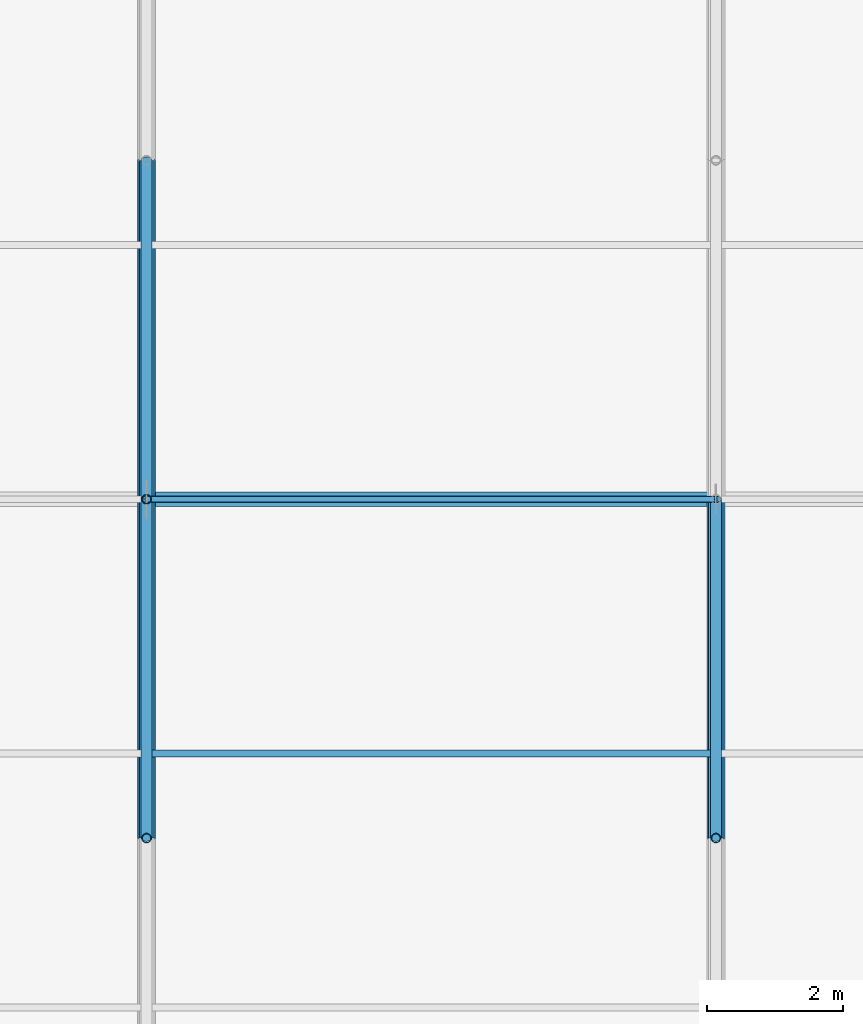
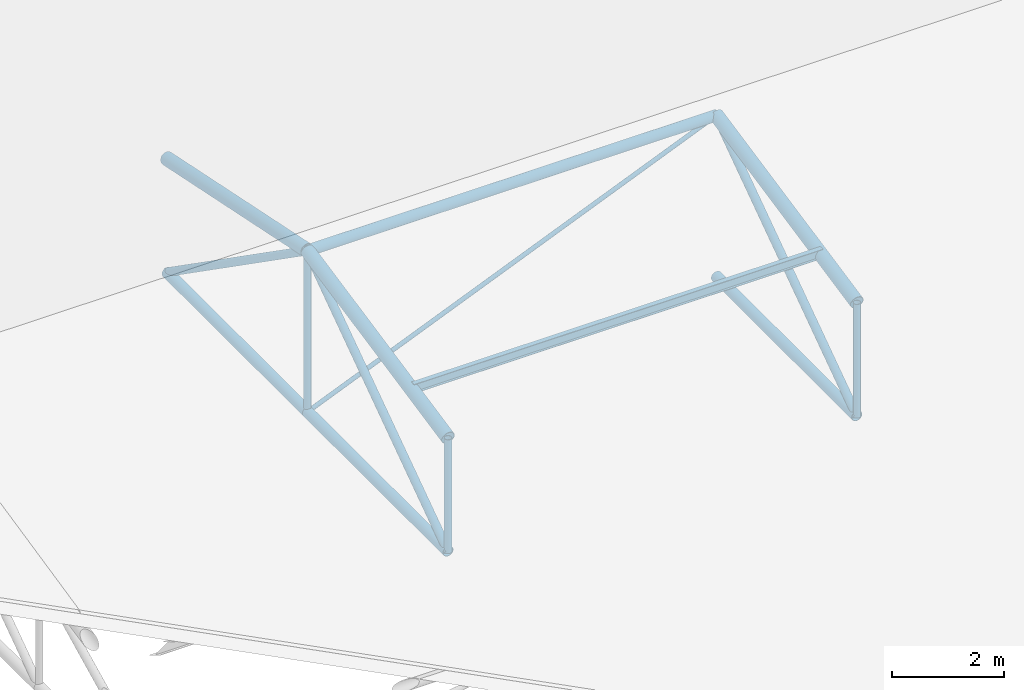
# One storey, part 73 of 194: 14 members, 1 beam.
"""IFC4 building model written with IfcOpenShell, lengths in metres."""

from ifc_helpers import new_model, si_unit, direction, frame, origin, origin_2d, place, context, subcontext, project, spatial, hollow_circle, i_section, extrude, material, material_profile, profile_set, type_object, element, save


model = new_model("IFC4")

# Units and contexts
model_context = context("Model", 3, precision=1e-05, world=origin(), true_north=direction((0.0, 1.0)))
body_context = subcontext(model_context, "Body", "Model", "MODEL_VIEW")
ifc_project = project(units=[si_unit("LENGTHUNIT", "METRE"), si_unit("AREAUNIT", "SQUARE_METRE"), si_unit("VOLUMEUNIT", "CUBIC_METRE"), si_unit("PLANEANGLEUNIT", "RADIAN"), si_unit("MASSUNIT", "GRAM", prefix="KILO")], contexts=[model_context])

# Site, building, storey
site_placement = place(None, origin())
site = spatial("IfcSite", under=ifc_project, at=site_placement, CompositionType="ELEMENT")
building_placement = place(site_placement, origin())
building = spatial("IfcBuilding", under=site, at=building_placement, Name="Kazenagashi Tramway Depot", CompositionType="ELEMENT")
storey_placement = place(building_placement, frame((0.0, 0.0, 23.7)))
storey = spatial("IfcBuildingStorey", under=building, at=storey_placement, Name="ROOF", CompositionType="ELEMENT", Elevation=23.7)

# Beam
ifc_material_1 = material(Name="Steel SN400B", Category="steel")
ifc_material_profile_1 = material_profile(ifc_material_1, i_section(OverallWidth=0.1, OverallDepth=0.2, WebThickness=0.0055, FlangeThickness=0.008, at=origin_2d()), Name="H-200x100x5.5x8")
ifc_profile_set_1 = profile_set([ifc_material_profile_1], Name="Steel SN400B")
beam_type = type_object("IfcBeamType", Name="PR-01", PredefinedType="USERDEFINED", material=ifc_profile_set_1)
beam_placement = place(storey_placement, frame((128.8, 81.25, -11.305), z_axis=(1.0, 0.0, 0.0), x_axis=(0.0, 1.0, 0.0)))
element("IfcBeam", 1, at=beam_placement, inside=storey, type_object=beam_type, Name="Beam PR-01 BM-2064", ObjectType="PURLIN", PredefinedType="USERDEFINED", context=body_context, shape_type="SweptSolid", body=[
    extrude(i_section(OverallWidth=0.1, OverallDepth=0.2, WebThickness=0.0055, FlangeThickness=0.008, at=origin_2d()), origin(), (0.0, 0.0, 1.0), 8.4),
])

# Members
ifc_material_2 = material(Name="Steel STK490", Category="steel")
ifc_material_profile_2 = material_profile(ifc_material_2, hollow_circle(Radius=0.1337, WallThickness=0.0093, at=origin_2d()), Name="CHS-267.4x9.3")
ifc_profile_set_2 = profile_set([ifc_material_profile_2], Name="Steel STK490")
member_type_1 = type_object("IfcMemberType", Name="TC-01", PredefinedType="CHORD", material=ifc_profile_set_2)
for number, where, z_axis, x_axis, name in (
    (2, (128.8, 80.0, -11.633), (0.0, 0.979317999984, 0.202327098797), (-1.0, 0.0, 0.0), "Tubular Space Frame TC-01 MEM-0617"),
    (3, (128.8, 85.0, -10.6), (0.0, 0.979317999984, -0.202327098797), (-1.0, 0.0, 0.0), "Tubular Space Frame TC-01 MEM-0620"),
    (4, (137.2, 80.0, -11.633), (0.0, 0.979317999984, 0.202327098797), (-1.0, 0.0, 0.0), "Tubular Space Frame TC-01 MEM-0678"),
):
    element("IfcMember", number, at=place(storey_placement, frame(where, z_axis=z_axis, x_axis=x_axis)), inside=storey, type_object=member_type_1, Name=name, PredefinedType="CHORD", context=body_context, shape_type="SweptSolid", body=[
        extrude(hollow_circle(Radius=0.1337, WallThickness=0.0093, at=origin_2d()), origin(), (0.0, 0.0, 1.0), 5.105594),
    ])
ifc_material_profile_3 = material_profile(ifc_material_2, hollow_circle(Radius=0.10815, WallThickness=0.0082, at=origin_2d()), Name="CHS-216.3x8.2")
ifc_profile_set_3 = profile_set([ifc_material_profile_3], Name="Steel STK490")
member_type_2 = type_object("IfcMemberType", Name="TC-02", PredefinedType="CHORD", material=ifc_profile_set_3)
for number, where, z_axis, x_axis, name in (
    (5, (128.8, 80.0, -14.1), (0.0, 1.0, 0.0), (-1.0, 0.0, 0.0), "Tubular Space Frame TC-02 MEM-0618"),
    (6, (128.8, 85.0, -14.1), (0.0, 1.0, 0.0), (-1.0, 0.0, 0.0), "Tubular Space Frame TC-02 MEM-0621"),
):
    element("IfcMember", number, at=place(storey_placement, frame(where, z_axis=z_axis, x_axis=x_axis)), inside=storey, type_object=member_type_2, Name=name, PredefinedType="CHORD", context=body_context, shape_type="SweptSolid", body=[
        extrude(hollow_circle(Radius=0.10815, WallThickness=0.0082, at=origin_2d()), origin(), (0.0, 0.0, 1.0), 5.0),
    ])
member_1_placement = place(storey_placement, frame((128.8, 85.0, -10.6), z_axis=(1.0, 0.0, 0.0), x_axis=(0.0, 1.0, 0.0)))
element("IfcMember", 7, at=member_1_placement, inside=storey, type_object=member_type_2, Name="Tubular Space Frame TC-02 MEM-0638", PredefinedType="CHORD", context=body_context, shape_type="SweptSolid", body=[
    extrude(hollow_circle(Radius=0.10815, WallThickness=0.0082, at=origin_2d()), origin(), (0.0, 0.0, 1.0), 8.4),
])
member_2_placement = place(storey_placement, frame((137.2, 80.0, -14.1), z_axis=(0.0, 1.0, 0.0), x_axis=(-1.0, 0.0, 0.0)))
element("IfcMember", 8, at=member_2_placement, inside=storey, type_object=member_type_2, Name="Tubular Space Frame TC-02 MEM-0679", PredefinedType="CHORD", context=body_context, shape_type="SweptSolid", body=[
    extrude(hollow_circle(Radius=0.10815, WallThickness=0.0082, at=origin_2d()), origin(), (0.0, 0.0, 1.0), 5.0),
])
ifc_material_profile_4 = material_profile(ifc_material_2, hollow_circle(Radius=0.0826, WallThickness=0.0071, at=origin_2d()), Name="CHS-165.2x7.1")
ifc_profile_set_4 = profile_set([ifc_material_profile_4], Name="Steel STK490")
member_type_3 = type_object("IfcMemberType", Name="TS-01", PredefinedType="STRUT", material=ifc_profile_set_4)
for number, where, z_axis, x_axis, name in (
    (9, (128.8, 80.0, -14.1), (0.0, 0.819231920519, 0.573462344363), (-1.0, 0.0, 0.0), "Tubular Space Frame TS-01 MEM-0619"),
    (10, (128.8, 85.0, -10.6), (0.0, 0.819231920519, -0.573462344363), (-1.0, 0.0, 0.0), "Tubular Space Frame TS-01 MEM-0622"),
    (11, (137.2, 80.0, -14.1), (0.0, 0.819231920519, 0.573462344363), (-1.0, 0.0, 0.0), "Tubular Space Frame TS-01 MEM-0680"),
):
    element("IfcMember", number, at=place(storey_placement, frame(where, z_axis=z_axis, x_axis=x_axis)), inside=storey, type_object=member_type_3, Name=name, PredefinedType="STRUT", context=body_context, shape_type="SweptSolid", body=[
        extrude(hollow_circle(Radius=0.0826, WallThickness=0.0071, at=origin_2d()), origin(), (0.0, 0.0, 1.0), 6.103278),
    ])
ifc_material_profile_5 = material_profile(ifc_material_2, hollow_circle(Radius=0.0699, WallThickness=0.0066, at=origin_2d()), Name="CHS-139.8x6.6")
ifc_profile_set_5 = profile_set([ifc_material_profile_5], Name="Steel STK490")
member_type_4 = type_object("IfcMemberType", Name="TS-02", PredefinedType="STRUT", material=ifc_profile_set_5)
member_3_placement = place(storey_placement, frame((128.8, 80.0, -14.1), z_axis=(0.0, 0.0, 1.0), x_axis=(1.0, 0.0, 0.0)))
element("IfcMember", 12, at=member_3_placement, inside=storey, type_object=member_type_4, Name="Tubular Space Frame TS-02 MEM-0631", PredefinedType="STRUT", context=body_context, shape_type="SweptSolid", body=[
    extrude(hollow_circle(Radius=0.0699, WallThickness=0.0066, at=origin_2d()), origin(), (0.0, 0.0, 1.0), 2.467),
])
member_4_placement = place(storey_placement, frame((128.8, 85.0, -14.1), z_axis=(0.0, 0.0, 1.0), x_axis=(1.0, 0.0, 0.0)))
element("IfcMember", 13, at=member_4_placement, inside=storey, type_object=member_type_4, Name="Tubular Space Frame TS-02 MEM-0632", PredefinedType="STRUT", context=body_context, shape_type="SweptSolid", body=[
    extrude(hollow_circle(Radius=0.0699, WallThickness=0.0066, at=origin_2d()), origin(), (0.0, 0.0, 1.0), 3.5),
])
member_5_placement = place(storey_placement, frame((137.2, 80.0, -14.1), z_axis=(0.0, 0.0, 1.0), x_axis=(1.0, 0.0, 0.0)))
element("IfcMember", 14, at=member_5_placement, inside=storey, type_object=member_type_4, Name="Tubular Space Frame TS-02 MEM-0692", PredefinedType="STRUT", context=body_context, shape_type="SweptSolid", body=[
    extrude(hollow_circle(Radius=0.0699, WallThickness=0.0066, at=origin_2d()), origin(), (0.0, 0.0, 1.0), 2.467),
])
ifc_material_3 = material(Name="Steel STK400", Category="steel")
ifc_material_profile_6 = material_profile(ifc_material_3, hollow_circle(Radius=0.04455, WallThickness=0.0042, at=origin_2d()), Name="CHS-89.1x4.2")
ifc_profile_set_6 = profile_set([ifc_material_profile_6], Name="Steel STK400")
member_type_5 = type_object("IfcMemberType", Name="TS-04", PredefinedType="STRUT", material=ifc_profile_set_6)
member_6_placement = place(storey_placement, frame((128.8, 85.0, -14.1), z_axis=(0.923076923077, 0.0, 0.384615384615), x_axis=(0.0, 1.0, 0.0)))
element("IfcMember", 15, at=member_6_placement, inside=storey, type_object=member_type_5, Name="Tubular Space Frame TS-04 MEM-0639", PredefinedType="STRUT", context=body_context, shape_type="SweptSolid", body=[
    extrude(hollow_circle(Radius=0.04455, WallThickness=0.0042, at=origin_2d()), origin(), (0.0, 0.0, 1.0), 9.1),
])

save(model, "model.ifc")
